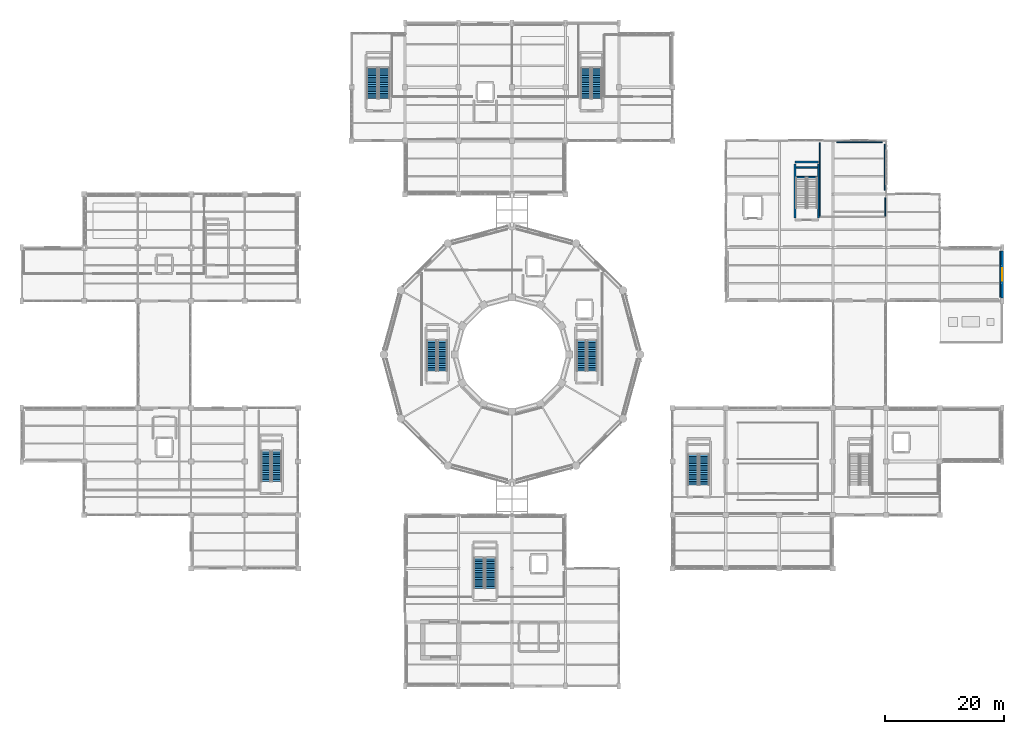
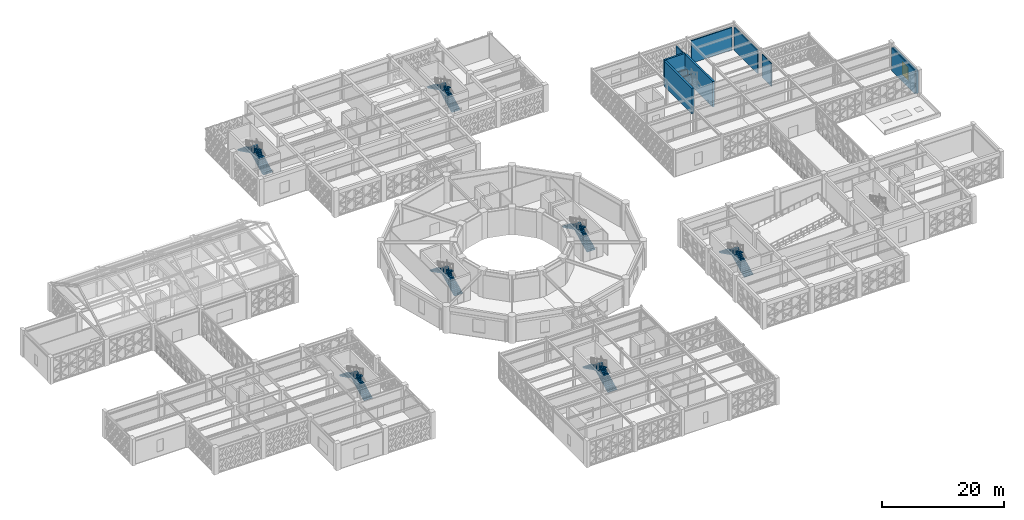
# One storey, part 147 of 166: 14 stair flights, 11 walls, 1 window, 1 opening, 7 elements without a shape of their own.
"""IFC4 building model written with IfcOpenShell, lengths in metres."""

from ifc_helpers import new_model, si_unit, direction, frame, frame_2d, origin, place, context, subcontext, project, spatial, polyline, rectangle, outline, extrude, material, layer, layer_set, type_object, element, fill, aggregate, save


model = new_model("IFC4")

# Units and contexts
model_context = context("Model", 3, precision=1e-05, world=origin(), true_north=direction((0.0, 1.0)))
body_context = subcontext(model_context, "Body", "Model", "MODEL_VIEW")
ifc_project = project(units=[si_unit("LENGTHUNIT", "METRE"), si_unit("AREAUNIT", "SQUARE_METRE"), si_unit("VOLUMEUNIT", "CUBIC_METRE"), si_unit("PLANEANGLEUNIT", "RADIAN"), si_unit("MASSUNIT", "GRAM", prefix="KILO")], contexts=[model_context])

# Site, building, storey
site_placement = place(None, origin())
site = spatial("IfcSite", under=ifc_project, at=site_placement, CompositionType="ELEMENT")
building_placement = place(site_placement, origin())
building = spatial("IfcBuilding", under=site, at=building_placement, Name="Haizhuo Lancet Aquarium", CompositionType="ELEMENT")
storey_placement = place(building_placement, frame((0.0, 0.0, 5.39990234375)))
storey = spatial("IfcBuildingStorey", under=building, at=storey_placement, Name="L01", CompositionType="ELEMENT", Elevation=5.39990234375)

# Wall, opening, window
ifc_material_1 = material(Name="Shandong Grey Limestone Ashlar", Category="masonry")
ifc_layer_1 = layer(ifc_material_1, 0.449951171875)
ifc_layer_set_1 = layer_set([ifc_layer_1], Name="Shandong Grey Limestone Ashlar")
wall_type_1 = type_object("IfcWallType", Name="EWL-ASH-450", PredefinedType="SOLIDWALL", material=ifc_layer_set_1)
wall_1_placement = place(storey_placement, frame((82.5, 17.455078125, 0.0), z_axis=(0.0, 0.0, 1.0), x_axis=(0.0, -1.0, 0.0)))
wall_1 = element("IfcWall", 1, at=wall_1_placement, inside=storey, type_object=wall_type_1, Name="L01 V7 limestone facade wall 111", PredefinedType="SOLIDWALL", context=body_context, shape_type="SweptSolid", body=[
    extrude(rectangle(XDim=7.91015625, YDim=0.449951171875, at=frame_2d((3.955078125, 0.0))), origin(), (0.0, 0.0, 1.0), 4.537109375),
])
opening_placement = place(wall_1_placement, frame((2.905029296875, 0.0, 0.89990234375)))
opening = element("IfcOpeningElement", 2, at=opening_placement, cuts=wall_1, Name="Opening WN-07", PredefinedType="OPENING", context=body_context, shape_type="SweptSolid", body=[
    extrude(rectangle(XDim=2.10009765625, YDim=2.60009765625, at=frame_2d((1.050048828125, 1.300048828125))), frame((0.0, 0.23486328125, 0.0), z_axis=(0.0, -1.0, 0.0), x_axis=(1.0, 0.0, 0.0)), (0.0, 0.0, 1.0), 0.469951),
])
ifc_material_2 = material(Name="Laminated Low-E Glass", Category="glass")
window_type = type_object("IfcWindowType", Name="WIN-LAN-2100x2600", PartitioningType="SINGLE_PANEL", PredefinedType="WINDOW", material=ifc_material_2)
window_placement = place(opening_placement, origin())
window = element("IfcWindow", 3, at=window_placement, inside=storey, type_object=window_type, Name="L01 V7 lancet window 84", OverallHeight=2.60009765625, OverallWidth=2.10009765625, PartitioningType="SINGLE_PANEL", PredefinedType="WINDOW", context=body_context, shape_type="SweptSolid", body=[
    extrude(rectangle(XDim=2.10009765625, YDim=2.60009765625, at=frame_2d((1.050048828125, 1.300048828125))), frame((0.0, 0.030029296875, 0.0), z_axis=(0.0, -1.0, 0.0), x_axis=(1.0, 0.0, 0.0)), (0.0, 0.0, 1.0), 0.06005859375),
])
fill(opening, window)

# Walls
ifc_material_3 = material(Name="Concrete C40/50", Category="concrete")
ifc_layer_2 = layer(ifc_material_3, 0.179931640625)
ifc_layer_set_2 = layer_set([ifc_layer_2], Name="Concrete C40/50")
wall_type_2 = type_object("IfcWallType", Name="IWL-LAB-180", PredefinedType="PARTITIONING", material=ifc_layer_set_2)
wall_2_placement = place(storey_placement, frame((82.199951171875, 9.64990234375, 0.0), z_axis=(0.0, 0.0, 1.0), x_axis=(-0.00025331686, 0.999999967915, 0.0)))
element("IfcWall", 4, at=wall_2_placement, inside=storey, type_object=wall_type_2, Name="L01 partition wall 329", PredefinedType="PARTITIONING", context=body_context, shape_type="SweptSolid", body=[
    extrude(rectangle(XDim=7.710205078125, YDim=0.179931640625, at=frame_2d((3.85498046875, 0.0))), origin(), (0.0, 0.0, 1.0), 4.63720703125),
])
wall_3_placement = place(storey_placement, frame((51.800048828125, 35.610107421875, 0.0), z_axis=(0.0, 0.0, 1.0), x_axis=(0.0, -1.0, 0.0)))
element("IfcWall", 5, at=wall_3_placement, inside=storey, type_object=wall_type_2, Name="L01 partition wall 336", PredefinedType="PARTITIONING", context=body_context, shape_type="SweptSolid", body=[
    extrude(rectangle(XDim=12.31005859375, YDim=0.179931640625, at=frame_2d((6.155029296875, 0.0))), origin(), (0.0, 0.0, 1.0), 4.537109375),
])
wall_4_placement = place(storey_placement, frame((62.800048828125, 23.300048828125, 0.0), z_axis=(0.0, 0.0, 1.0), x_axis=(0.0, 1.0, 0.0)))
element("IfcWall", 6, at=wall_4_placement, inside=storey, type_object=wall_type_2, Name="L01 partition wall 338", PredefinedType="PARTITIONING", context=body_context, shape_type="SweptSolid", body=[
    extrude(rectangle(XDim=3.06005859375, YDim=0.179931640625, at=frame_2d((1.530029296875, 0.0))), origin(), (0.0, 0.0, 1.0), 4.625),
])
wall_5_placement = place(storey_placement, frame((62.699951171875, 27.64990234375, 0.0), z_axis=(0.0, 0.0, 1.0), x_axis=(0.0, 1.0, 0.0)))
element("IfcWall", 7, at=wall_5_placement, inside=storey, type_object=wall_type_2, Name="L01 partition wall 339", PredefinedType="PARTITIONING", context=body_context, shape_type="SweptSolid", body=[
    extrude(rectangle(XDim=7.7001953125, YDim=0.179931640625, at=frame_2d((3.85009765625, 0.0))), origin(), (0.0, 0.0, 1.0), 4.625),
])
wall_6_placement = place(storey_placement, frame((62.35009765625, 35.699951171875, 0.0), z_axis=(0.0, 0.0, 1.0), x_axis=(-1.0, 0.0, 0.0)))
element("IfcWall", 8, at=wall_6_placement, inside=storey, type_object=wall_type_2, Name="L01 partition wall 340", PredefinedType="PARTITIONING", context=body_context, shape_type="SweptSolid", body=[
    extrude(rectangle(XDim=7.7001953125, YDim=0.179931640625, at=frame_2d((3.85009765625, 0.0))), origin(), (0.0, 0.0, 1.0), 4.537109375),
])
ifc_layer_3 = layer(ifc_material_3, 0.35009765625)
ifc_layer_set_3 = layer_set([ifc_layer_3], Name="Concrete C40/50")
wall_type_3 = type_object("IfcWallType", Name="WL-CORE-350", PredefinedType="SHEAR", material=ifc_layer_set_3)
for number, where, z_axis, x_axis, name in (
    (9, (47.800048828125, 29.875, 0.0), (0.0, 0.0, 1.0), (1.0, 0.0, 0.0), "L01 ST-10 landing support wall"),
    (10, (47.800048828125, 31.47509765625, 0.0), (0.0, 0.0, 1.0), (1.0, 0.0, 0.0), "L01 ST-10 far landing support wall"),
):
    element("IfcWall", number, at=place(storey_placement, frame(where, z_axis=z_axis, x_axis=x_axis)), inside=storey, type_object=wall_type_3, Name=name, PredefinedType="SHEAR", context=body_context, shape_type="SweptSolid", body=[
        extrude(rectangle(XDim=3.599853515625, YDim=0.25, at=frame_2d((1.7998046875, 0.0))), origin(), (0.0, 0.0, 1.0), 2.5),
    ])
wall_7_placement = place(storey_placement, frame((47.625, 32.425048828125, 0.0), z_axis=(0.0, 0.0, 1.0), x_axis=(1.0, 0.0, 0.0)))
element("IfcWall", 11, at=wall_7_placement, inside=storey, type_object=wall_type_3, Name="L01 ST-10 core shear wall N", PredefinedType="SHEAR", context=body_context, shape_type="SweptSolid", body=[
    extrude(rectangle(XDim=3.949951171875, YDim=0.35009765625, at=frame_2d((1.97509765625, 0.0))), origin(), (0.0, 0.0, 1.0), 5.150146484375),
])
for number, where, z_axis, x_axis, name in (
    (12, (47.625, 22.97509765625, 0.0), (0.0, 0.0, 1.0), (0.0, 1.0, 0.0), "L01 ST-10 core shear wall W"),
    (13, (51.574951171875, 22.97509765625, 0.0), (0.0, 0.0, 1.0), (0.0, 1.0, 0.0), "L01 ST-10 core shear wall E"),
):
    element("IfcWall", number, at=place(storey_placement, frame(where, z_axis=z_axis, x_axis=x_axis)), inside=storey, type_object=wall_type_3, Name=name, PredefinedType="SHEAR", context=body_context, shape_type="SweptSolid", body=[
        extrude(rectangle(XDim=9.099853515625, YDim=0.35009765625, at=frame_2d((4.5498046875, 0.0))), origin(), (0.0, 0.0, 1.0), 5.150146484375),
    ])

# Stair, stair flights
stair_type_1 = type_object("IfcStairType", Name="STR-HT-1600-54", PredefinedType="HALF_TURN_STAIR", material=ifc_material_3)
stair_1_placement = place(storey_placement, origin())
stair_1 = element("IfcStair", 14, at=stair_1_placement, inside=storey, type_object=stair_type_1, Name="L01 enclosed exit stair ST-01", PredefinedType="HALF_TURN_STAIR")
stair_flight_type_1 = type_object("IfcStairFlightType", Name="FLT-STR-1600-54", PredefinedType="STRAIGHT", material=ifc_material_3)
stair_flight_1_placement = place(storey_placement, frame((-11.699951171875, -2.75, 0.0), z_axis=(0.0, 0.0, 1.0), x_axis=(0.0, 1.0, 0.0)))
stair_flight_1 = element("IfcStairFlight", 15, at=stair_flight_1_placement, type_object=stair_flight_type_1, Name="ST-15 flight 1", NumberOfRisers=18, NumberOfTreads=17, PredefinedType="STRAIGHT", RiserHeight=0.15, TreadLength=0.3, context=body_context, shape_type="SweptSolid", body=[
    extrude(outline(polyline([(0.0, 0.0), (0.0, 0.14990234375), (0.300048828125, 0.14990234375), (0.300048828125, 0.300048828125), (0.60009765625, 0.300048828125), (0.60009765625, 0.449951171875), (0.89990234375, 0.449951171875), (0.89990234375, 0.60009765625), (1.199951171875, 0.60009765625), (1.199951171875, 0.75), (1.5, 0.75), (1.5, 0.89990234375), (1.800048828125, 0.89990234375), (1.800048828125, 1.050048828125), (2.10009765625, 1.050048828125), (2.10009765625, 1.199951171875), (2.39990234375, 1.199951171875), (2.39990234375, 1.35009765625), (2.699951171875, 1.35009765625), (2.699951171875, 1.5), (3.0, 1.5), (3.0, 1.64990234375), (3.300048828125, 1.64990234375), (3.300048828125, 1.800048828125), (3.60009765625, 1.800048828125), (3.60009765625, 1.949951171875), (3.89990234375, 1.949951171875), (3.89990234375, 2.10009765625), (4.199951171875, 2.10009765625), (4.199951171875, 2.25), (4.5, 2.25), (4.5, 2.39990234375), (4.800048828125, 2.39990234375), (4.800048828125, 2.550048828125), (5.10009765625, 2.550048828125), (5.10009765625, 2.699951171875), (5.10009765625, 2.37109375), (0.357666015625, 0.0), (0.0, 0.0)])), frame((0.0, 0.800048828125, 0.0), z_axis=(0.0, -1.0, 0.0), x_axis=(1.0, 0.0, 0.0)), (0.0, 0.0, 1.0), 1.60009765625),
])
stair_flight_2_placement = place(storey_placement, frame((-13.5, 2.35009765625, 2.7001953125), z_axis=(0.0, 0.0, 1.0), x_axis=(0.0, -1.0, 0.0)))
stair_flight_2 = element("IfcStairFlight", 16, at=stair_flight_2_placement, type_object=stair_flight_type_1, Name="ST-15 flight 2", NumberOfRisers=18, NumberOfTreads=17, PredefinedType="STRAIGHT", RiserHeight=0.15, TreadLength=0.3, context=body_context, shape_type="SweptSolid", body=[
    extrude(outline(polyline([(0.0, 0.0), (0.0, 0.14990234375), (0.300048828125, 0.14990234375), (0.300048828125, 0.300048828125), (0.60009765625, 0.300048828125), (0.60009765625, 0.449951171875), (0.89990234375, 0.449951171875), (0.89990234375, 0.60009765625), (1.199951171875, 0.60009765625), (1.199951171875, 0.75), (1.5, 0.75), (1.5, 0.89990234375), (1.800048828125, 0.89990234375), (1.800048828125, 1.050048828125), (2.10009765625, 1.050048828125), (2.10009765625, 1.199951171875), (2.39990234375, 1.199951171875), (2.39990234375, 1.35009765625), (2.699951171875, 1.35009765625), (2.699951171875, 1.5), (3.0, 1.5), (3.0, 1.64990234375), (3.300048828125, 1.64990234375), (3.300048828125, 1.800048828125), (3.60009765625, 1.800048828125), (3.60009765625, 1.949951171875), (3.89990234375, 1.949951171875), (3.89990234375, 2.10009765625), (4.199951171875, 2.10009765625), (4.199951171875, 2.25), (4.5, 2.25), (4.5, 2.39990234375), (4.800048828125, 2.39990234375), (4.800048828125, 2.550048828125), (5.10009765625, 2.550048828125), (5.10009765625, 2.699951171875), (5.10009765625, 2.37109375), (0.357666015625, 0.0), (0.0, 0.0)])), frame((0.0, 0.800048828125, 0.0), z_axis=(0.0, -1.0, 0.0), x_axis=(1.0, 0.0, 0.0)), (0.0, 0.0, 1.0), 1.60009765625),
])
aggregate(stair_1, [stair_flight_1, stair_flight_2])

stair_2_placement = place(storey_placement, origin())
stair_2 = element("IfcStair", 17, at=stair_2_placement, inside=storey, type_object=stair_type_1, Name="L01 enclosed exit stair ST-02", PredefinedType="HALF_TURN_STAIR")
stair_flight_3_placement = place(storey_placement, frame((13.5, -2.75, 0.0), z_axis=(0.0, 0.0, 1.0), x_axis=(0.0, 1.0, 0.0)))
stair_flight_3 = element("IfcStairFlight", 18, at=stair_flight_3_placement, type_object=stair_flight_type_1, Name="ST-15 flight 1", NumberOfRisers=18, NumberOfTreads=17, PredefinedType="STRAIGHT", RiserHeight=0.15, TreadLength=0.3, context=body_context, shape_type="SweptSolid", body=[
    extrude(outline(polyline([(0.0, 0.0), (0.0, 0.14990234375), (0.300048828125, 0.14990234375), (0.300048828125, 0.300048828125), (0.60009765625, 0.300048828125), (0.60009765625, 0.449951171875), (0.89990234375, 0.449951171875), (0.89990234375, 0.60009765625), (1.199951171875, 0.60009765625), (1.199951171875, 0.75), (1.5, 0.75), (1.5, 0.89990234375), (1.800048828125, 0.89990234375), (1.800048828125, 1.050048828125), (2.10009765625, 1.050048828125), (2.10009765625, 1.199951171875), (2.39990234375, 1.199951171875), (2.39990234375, 1.35009765625), (2.699951171875, 1.35009765625), (2.699951171875, 1.5), (3.0, 1.5), (3.0, 1.64990234375), (3.300048828125, 1.64990234375), (3.300048828125, 1.800048828125), (3.60009765625, 1.800048828125), (3.60009765625, 1.949951171875), (3.89990234375, 1.949951171875), (3.89990234375, 2.10009765625), (4.199951171875, 2.10009765625), (4.199951171875, 2.25), (4.5, 2.25), (4.5, 2.39990234375), (4.800048828125, 2.39990234375), (4.800048828125, 2.550048828125), (5.10009765625, 2.550048828125), (5.10009765625, 2.699951171875), (5.10009765625, 2.37109375), (0.357666015625, 0.0), (0.0, 0.0)])), frame((0.0, 0.800048828125, 0.0), z_axis=(0.0, -1.0, 0.0), x_axis=(1.0, 0.0, 0.0)), (0.0, 0.0, 1.0), 1.60009765625),
])
stair_flight_4_placement = place(storey_placement, frame((11.699951171875, 2.35009765625, 2.7001953125), z_axis=(0.0, 0.0, 1.0), x_axis=(0.0, -1.0, 0.0)))
stair_flight_4 = element("IfcStairFlight", 19, at=stair_flight_4_placement, type_object=stair_flight_type_1, Name="ST-15 flight 2", NumberOfRisers=18, NumberOfTreads=17, PredefinedType="STRAIGHT", RiserHeight=0.15, TreadLength=0.3, context=body_context, shape_type="SweptSolid", body=[
    extrude(outline(polyline([(0.0, 0.0), (0.0, 0.14990234375), (0.300048828125, 0.14990234375), (0.300048828125, 0.300048828125), (0.60009765625, 0.300048828125), (0.60009765625, 0.449951171875), (0.89990234375, 0.449951171875), (0.89990234375, 0.60009765625), (1.199951171875, 0.60009765625), (1.199951171875, 0.75), (1.5, 0.75), (1.5, 0.89990234375), (1.800048828125, 0.89990234375), (1.800048828125, 1.050048828125), (2.10009765625, 1.050048828125), (2.10009765625, 1.199951171875), (2.39990234375, 1.199951171875), (2.39990234375, 1.35009765625), (2.699951171875, 1.35009765625), (2.699951171875, 1.5), (3.0, 1.5), (3.0, 1.64990234375), (3.300048828125, 1.64990234375), (3.300048828125, 1.800048828125), (3.60009765625, 1.800048828125), (3.60009765625, 1.949951171875), (3.89990234375, 1.949951171875), (3.89990234375, 2.10009765625), (4.199951171875, 2.10009765625), (4.199951171875, 2.25), (4.5, 2.25), (4.5, 2.39990234375), (4.800048828125, 2.39990234375), (4.800048828125, 2.550048828125), (5.10009765625, 2.550048828125), (5.10009765625, 2.699951171875), (5.10009765625, 2.37109375), (0.357666015625, 0.0), (0.0, 0.0)])), frame((0.0, 0.800048828125, 0.0), z_axis=(0.0, -1.0, 0.0), x_axis=(1.0, 0.0, 0.0)), (0.0, 0.0, 1.0), 1.60009765625),
])
aggregate(stair_2, [stair_flight_3, stair_flight_4])

stair_3_placement = place(storey_placement, origin())
stair_3 = element("IfcStair", 20, at=stair_3_placement, inside=storey, type_object=stair_type_1, Name="L01 enclosed exit stair ST-09", PredefinedType="HALF_TURN_STAIR")
stair_flight_5_placement = place(storey_placement, frame((-39.60009765625, -21.35009765625, 0.0), z_axis=(0.0, 0.0, 1.0), x_axis=(0.0, 1.0, 0.0)))
stair_flight_5 = element("IfcStairFlight", 21, at=stair_flight_5_placement, type_object=stair_flight_type_1, Name="ST-15 flight 1", NumberOfRisers=18, NumberOfTreads=17, PredefinedType="STRAIGHT", RiserHeight=0.15, TreadLength=0.3, context=body_context, shape_type="SweptSolid", body=[
    extrude(outline(polyline([(0.0, 0.0), (0.0, 0.14990234375), (0.300048828125, 0.14990234375), (0.300048828125, 0.300048828125), (0.60009765625, 0.300048828125), (0.60009765625, 0.449951171875), (0.89990234375, 0.449951171875), (0.89990234375, 0.60009765625), (1.199951171875, 0.60009765625), (1.199951171875, 0.75), (1.5, 0.75), (1.5, 0.89990234375), (1.800048828125, 0.89990234375), (1.800048828125, 1.050048828125), (2.10009765625, 1.050048828125), (2.10009765625, 1.199951171875), (2.39990234375, 1.199951171875), (2.39990234375, 1.35009765625), (2.699951171875, 1.35009765625), (2.699951171875, 1.5), (3.0, 1.5), (3.0, 1.64990234375), (3.300048828125, 1.64990234375), (3.300048828125, 1.800048828125), (3.60009765625, 1.800048828125), (3.60009765625, 1.949951171875), (3.89990234375, 1.949951171875), (3.89990234375, 2.10009765625), (4.199951171875, 2.10009765625), (4.199951171875, 2.25), (4.5, 2.25), (4.5, 2.39990234375), (4.800048828125, 2.39990234375), (4.800048828125, 2.550048828125), (5.10009765625, 2.550048828125), (5.10009765625, 2.699951171875), (5.10009765625, 2.37109375), (0.357666015625, 0.0), (0.0, 0.0)])), frame((0.0, 0.800048828125, 0.0), z_axis=(0.0, -1.0, 0.0), x_axis=(1.0, 0.0, 0.0)), (0.0, 0.0, 1.0), 1.60009765625),
])
stair_flight_6_placement = place(storey_placement, frame((-41.39990234375, -16.25, 2.7001953125), z_axis=(0.0, 0.0, 1.0), x_axis=(0.0, -1.0, 0.0)))
stair_flight_6 = element("IfcStairFlight", 22, at=stair_flight_6_placement, type_object=stair_flight_type_1, Name="ST-15 flight 2", NumberOfRisers=18, NumberOfTreads=17, PredefinedType="STRAIGHT", RiserHeight=0.15, TreadLength=0.3, context=body_context, shape_type="SweptSolid", body=[
    extrude(outline(polyline([(0.0, 0.0), (0.0, 0.14990234375), (0.300048828125, 0.14990234375), (0.300048828125, 0.300048828125), (0.60009765625, 0.300048828125), (0.60009765625, 0.449951171875), (0.89990234375, 0.449951171875), (0.89990234375, 0.60009765625), (1.199951171875, 0.60009765625), (1.199951171875, 0.75), (1.5, 0.75), (1.5, 0.89990234375), (1.800048828125, 0.89990234375), (1.800048828125, 1.050048828125), (2.10009765625, 1.050048828125), (2.10009765625, 1.199951171875), (2.39990234375, 1.199951171875), (2.39990234375, 1.35009765625), (2.699951171875, 1.35009765625), (2.699951171875, 1.5), (3.0, 1.5), (3.0, 1.64990234375), (3.300048828125, 1.64990234375), (3.300048828125, 1.800048828125), (3.60009765625, 1.800048828125), (3.60009765625, 1.949951171875), (3.89990234375, 1.949951171875), (3.89990234375, 2.10009765625), (4.199951171875, 2.10009765625), (4.199951171875, 2.25), (4.5, 2.25), (4.5, 2.39990234375), (4.800048828125, 2.39990234375), (4.800048828125, 2.550048828125), (5.10009765625, 2.550048828125), (5.10009765625, 2.699951171875), (5.10009765625, 2.37109375), (0.357666015625, 0.0), (0.0, 0.0)])), frame((0.0, 0.800048828125, 0.0), z_axis=(0.0, -1.0, 0.0), x_axis=(1.0, 0.0, 0.0)), (0.0, 0.0, 1.0), 1.60009765625),
])
aggregate(stair_3, [stair_flight_5, stair_flight_6])

stair_type_2 = type_object("IfcStairType", Name="STR-HT-1650-54", PredefinedType="HALF_TURN_STAIR", material=ifc_material_3)
stair_4_placement = place(storey_placement, origin())
stair_4 = element("IfcStair", 23, at=stair_4_placement, inside=storey, type_object=stair_type_2, Name="L01 enclosed exit stair ST-08", PredefinedType="HALF_TURN_STAIR")
stair_flight_type_2 = type_object("IfcStairFlightType", Name="FLT-STR-1650-54", PredefinedType="STRAIGHT", material=ifc_material_3)
stair_flight_7_placement = place(storey_placement, frame((14.27490234375, 43.050048828125, 0.0), z_axis=(0.0, 0.0, 1.0), x_axis=(0.0, 1.0, 0.0)))
stair_flight_7 = element("IfcStairFlight", 24, at=stair_flight_7_placement, type_object=stair_flight_type_2, Name="ST-25 flight 1", NumberOfRisers=18, NumberOfTreads=17, PredefinedType="STRAIGHT", RiserHeight=0.15, TreadLength=0.3, context=body_context, shape_type="SweptSolid", body=[
    extrude(outline(polyline([(0.0, 0.0), (0.0, 0.14990234375), (0.300048828125, 0.14990234375), (0.300048828125, 0.300048828125), (0.60009765625, 0.300048828125), (0.60009765625, 0.449951171875), (0.89990234375, 0.449951171875), (0.89990234375, 0.60009765625), (1.199951171875, 0.60009765625), (1.199951171875, 0.75), (1.5, 0.75), (1.5, 0.89990234375), (1.800048828125, 0.89990234375), (1.800048828125, 1.050048828125), (2.10009765625, 1.050048828125), (2.10009765625, 1.199951171875), (2.39990234375, 1.199951171875), (2.39990234375, 1.35009765625), (2.699951171875, 1.35009765625), (2.699951171875, 1.5), (3.0, 1.5), (3.0, 1.64990234375), (3.300048828125, 1.64990234375), (3.300048828125, 1.800048828125), (3.60009765625, 1.800048828125), (3.60009765625, 1.949951171875), (3.89990234375, 1.949951171875), (3.89990234375, 2.10009765625), (4.199951171875, 2.10009765625), (4.199951171875, 2.25), (4.5, 2.25), (4.5, 2.39990234375), (4.800048828125, 2.39990234375), (4.800048828125, 2.550048828125), (5.10009765625, 2.550048828125), (5.10009765625, 2.699951171875), (5.10009765625, 2.37109375), (0.357666015625, 0.0), (0.0, 0.0)])), frame((0.0, 0.824951171875, 0.0), z_axis=(0.0, -1.0, 0.0), x_axis=(1.0, 0.0, 0.0)), (0.0, 0.0, 1.0), 1.64990234375),
])
stair_flight_8_placement = place(storey_placement, frame((12.425048828125, 48.14990234375, 2.7001953125), z_axis=(0.0, 0.0, 1.0), x_axis=(0.0, -1.0, 0.0)))
stair_flight_8 = element("IfcStairFlight", 25, at=stair_flight_8_placement, type_object=stair_flight_type_2, Name="ST-25 flight 2", NumberOfRisers=18, NumberOfTreads=17, PredefinedType="STRAIGHT", RiserHeight=0.15, TreadLength=0.3, context=body_context, shape_type="SweptSolid", body=[
    extrude(outline(polyline([(0.0, 0.0), (0.0, 0.14990234375), (0.300048828125, 0.14990234375), (0.300048828125, 0.300048828125), (0.60009765625, 0.300048828125), (0.60009765625, 0.449951171875), (0.89990234375, 0.449951171875), (0.89990234375, 0.60009765625), (1.199951171875, 0.60009765625), (1.199951171875, 0.75), (1.5, 0.75), (1.5, 0.89990234375), (1.800048828125, 0.89990234375), (1.800048828125, 1.050048828125), (2.10009765625, 1.050048828125), (2.10009765625, 1.199951171875), (2.39990234375, 1.199951171875), (2.39990234375, 1.35009765625), (2.699951171875, 1.35009765625), (2.699951171875, 1.5), (3.0, 1.5), (3.0, 1.64990234375), (3.300048828125, 1.64990234375), (3.300048828125, 1.800048828125), (3.60009765625, 1.800048828125), (3.60009765625, 1.949951171875), (3.89990234375, 1.949951171875), (3.89990234375, 2.10009765625), (4.199951171875, 2.10009765625), (4.199951171875, 2.25), (4.5, 2.25), (4.5, 2.39990234375), (4.800048828125, 2.39990234375), (4.800048828125, 2.550048828125), (5.10009765625, 2.550048828125), (5.10009765625, 2.699951171875), (5.10009765625, 2.37109375), (0.357666015625, 0.0), (0.0, 0.0)])), frame((0.0, 0.824951171875, 0.0), z_axis=(0.0, -1.0, 0.0), x_axis=(1.0, 0.0, 0.0)), (0.0, 0.0, 1.0), 1.64990234375),
])
aggregate(stair_4, [stair_flight_7, stair_flight_8])

stair_type_3 = type_object("IfcStairType", Name="STR-HT-1700-54", PredefinedType="HALF_TURN_STAIR", material=ifc_material_3)
stair_5_placement = place(storey_placement, origin())
stair_5 = element("IfcStair", 26, at=stair_5_placement, inside=storey, type_object=stair_type_3, Name="L01 enclosed exit stair ST-04", PredefinedType="HALF_TURN_STAIR")
stair_flight_type_3 = type_object("IfcStairFlightType", Name="FLT-STR-1700-54", PredefinedType="STRAIGHT", material=ifc_material_3)
stair_flight_9_placement = place(storey_placement, frame((32.35009765625, -21.949951171875, 0.0), z_axis=(0.0, 0.0, 1.0), x_axis=(0.0, 1.0, 0.0)))
stair_flight_9 = element("IfcStairFlight", 27, at=stair_flight_9_placement, type_object=stair_flight_type_3, Name="ST-35 flight 1", NumberOfRisers=18, NumberOfTreads=17, PredefinedType="STRAIGHT", RiserHeight=0.15, TreadLength=0.3, context=body_context, shape_type="SweptSolid", body=[
    extrude(outline(polyline([(0.0, 0.0), (0.0, 0.14990234375), (0.300048828125, 0.14990234375), (0.300048828125, 0.300048828125), (0.60009765625, 0.300048828125), (0.60009765625, 0.449951171875), (0.89990234375, 0.449951171875), (0.89990234375, 0.60009765625), (1.199951171875, 0.60009765625), (1.199951171875, 0.75), (1.5, 0.75), (1.5, 0.89990234375), (1.800048828125, 0.89990234375), (1.800048828125, 1.050048828125), (2.10009765625, 1.050048828125), (2.10009765625, 1.199951171875), (2.39990234375, 1.199951171875), (2.39990234375, 1.35009765625), (2.699951171875, 1.35009765625), (2.699951171875, 1.5), (3.0, 1.5), (3.0, 1.64990234375), (3.300048828125, 1.64990234375), (3.300048828125, 1.800048828125), (3.60009765625, 1.800048828125), (3.60009765625, 1.949951171875), (3.89990234375, 1.949951171875), (3.89990234375, 2.10009765625), (4.199951171875, 2.10009765625), (4.199951171875, 2.25), (4.5, 2.25), (4.5, 2.39990234375), (4.800048828125, 2.39990234375), (4.800048828125, 2.550048828125), (5.10009765625, 2.550048828125), (5.10009765625, 2.699951171875), (5.10009765625, 2.37109375), (0.357666015625, 0.0), (0.0, 0.0)])), frame((0.0, 0.85009765625, 0.0), z_axis=(0.0, -1.0, 0.0), x_axis=(1.0, 0.0, 0.0)), (0.0, 0.0, 1.0), 1.699951171875),
])
stair_flight_10_placement = place(storey_placement, frame((30.449951171875, -16.85009765625, 2.7001953125), z_axis=(0.0, 0.0, 1.0), x_axis=(0.0, -1.0, 0.0)))
stair_flight_10 = element("IfcStairFlight", 28, at=stair_flight_10_placement, type_object=stair_flight_type_3, Name="ST-35 flight 2", NumberOfRisers=18, NumberOfTreads=17, PredefinedType="STRAIGHT", RiserHeight=0.15, TreadLength=0.3, context=body_context, shape_type="SweptSolid", body=[
    extrude(outline(polyline([(0.0, 0.0), (0.0, 0.14990234375), (0.300048828125, 0.14990234375), (0.300048828125, 0.300048828125), (0.60009765625, 0.300048828125), (0.60009765625, 0.449951171875), (0.89990234375, 0.449951171875), (0.89990234375, 0.60009765625), (1.199951171875, 0.60009765625), (1.199951171875, 0.75), (1.5, 0.75), (1.5, 0.89990234375), (1.800048828125, 0.89990234375), (1.800048828125, 1.050048828125), (2.10009765625, 1.050048828125), (2.10009765625, 1.199951171875), (2.39990234375, 1.199951171875), (2.39990234375, 1.35009765625), (2.699951171875, 1.35009765625), (2.699951171875, 1.5), (3.0, 1.5), (3.0, 1.64990234375), (3.300048828125, 1.64990234375), (3.300048828125, 1.800048828125), (3.60009765625, 1.800048828125), (3.60009765625, 1.949951171875), (3.89990234375, 1.949951171875), (3.89990234375, 2.10009765625), (4.199951171875, 2.10009765625), (4.199951171875, 2.25), (4.5, 2.25), (4.5, 2.39990234375), (4.800048828125, 2.39990234375), (4.800048828125, 2.550048828125), (5.10009765625, 2.550048828125), (5.10009765625, 2.699951171875), (5.10009765625, 2.37109375), (0.357666015625, 0.0), (0.0, 0.0)])), frame((0.0, 0.85009765625, 0.0), z_axis=(0.0, -1.0, 0.0), x_axis=(1.0, 0.0, 0.0)), (0.0, 0.0, 1.0), 1.699951171875),
])
aggregate(stair_5, [stair_flight_9, stair_flight_10])

stair_type_4 = type_object("IfcStairType", Name="STR-HT-1750-54", PredefinedType="HALF_TURN_STAIR", material=ifc_material_3)
stair_6_placement = place(storey_placement, origin())
stair_6 = element("IfcStair", 29, at=stair_6_placement, inside=storey, type_object=stair_type_4, Name="L01 enclosed exit stair ST-06", PredefinedType="HALF_TURN_STAIR")
stair_flight_type_4 = type_object("IfcStairFlightType", Name="FLT-STR-1750-54", PredefinedType="STRAIGHT", material=ifc_material_3)
stair_flight_11_placement = place(storey_placement, frame((-3.574951171875, -39.35009765625, 0.0), z_axis=(0.0, 0.0, 1.0), x_axis=(0.0, 1.0, 0.0)))
stair_flight_11 = element("IfcStairFlight", 30, at=stair_flight_11_placement, type_object=stair_flight_type_4, Name="ST-45 flight 1", NumberOfRisers=18, NumberOfTreads=17, PredefinedType="STRAIGHT", RiserHeight=0.15, TreadLength=0.3, context=body_context, shape_type="SweptSolid", body=[
    extrude(outline(polyline([(0.0, 0.0), (0.0, 0.14990234375), (0.300048828125, 0.14990234375), (0.300048828125, 0.300048828125), (0.60009765625, 0.300048828125), (0.60009765625, 0.449951171875), (0.89990234375, 0.449951171875), (0.89990234375, 0.60009765625), (1.199951171875, 0.60009765625), (1.199951171875, 0.75), (1.5, 0.75), (1.5, 0.89990234375), (1.800048828125, 0.89990234375), (1.800048828125, 1.050048828125), (2.10009765625, 1.050048828125), (2.10009765625, 1.199951171875), (2.39990234375, 1.199951171875), (2.39990234375, 1.35009765625), (2.699951171875, 1.35009765625), (2.699951171875, 1.5), (3.0, 1.5), (3.0, 1.64990234375), (3.300048828125, 1.64990234375), (3.300048828125, 1.800048828125), (3.60009765625, 1.800048828125), (3.60009765625, 1.949951171875), (3.89990234375, 1.949951171875), (3.89990234375, 2.10009765625), (4.199951171875, 2.10009765625), (4.199951171875, 2.25), (4.5, 2.25), (4.5, 2.39990234375), (4.800048828125, 2.39990234375), (4.800048828125, 2.550048828125), (5.10009765625, 2.550048828125), (5.10009765625, 2.699951171875), (5.10009765625, 2.37109375), (0.357666015625, 0.0), (0.0, 0.0)])), frame((0.0, 0.875, 0.0), z_axis=(0.0, -1.0, 0.0), x_axis=(1.0, 0.0, 0.0)), (0.0, 0.0, 1.0), 1.75),
])
stair_flight_12_placement = place(storey_placement, frame((-5.52490234375, -34.25, 2.7001953125), z_axis=(0.0, 0.0, 1.0), x_axis=(0.0, -1.0, 0.0)))
stair_flight_12 = element("IfcStairFlight", 31, at=stair_flight_12_placement, type_object=stair_flight_type_4, Name="ST-45 flight 2", NumberOfRisers=18, NumberOfTreads=17, PredefinedType="STRAIGHT", RiserHeight=0.15, TreadLength=0.3, context=body_context, shape_type="SweptSolid", body=[
    extrude(outline(polyline([(0.0, 0.0), (0.0, 0.14990234375), (0.300048828125, 0.14990234375), (0.300048828125, 0.300048828125), (0.60009765625, 0.300048828125), (0.60009765625, 0.449951171875), (0.89990234375, 0.449951171875), (0.89990234375, 0.60009765625), (1.199951171875, 0.60009765625), (1.199951171875, 0.75), (1.5, 0.75), (1.5, 0.89990234375), (1.800048828125, 0.89990234375), (1.800048828125, 1.050048828125), (2.10009765625, 1.050048828125), (2.10009765625, 1.199951171875), (2.39990234375, 1.199951171875), (2.39990234375, 1.35009765625), (2.699951171875, 1.35009765625), (2.699951171875, 1.5), (3.0, 1.5), (3.0, 1.64990234375), (3.300048828125, 1.64990234375), (3.300048828125, 1.800048828125), (3.60009765625, 1.800048828125), (3.60009765625, 1.949951171875), (3.89990234375, 1.949951171875), (3.89990234375, 2.10009765625), (4.199951171875, 2.10009765625), (4.199951171875, 2.25), (4.5, 2.25), (4.5, 2.39990234375), (4.800048828125, 2.39990234375), (4.800048828125, 2.550048828125), (5.10009765625, 2.550048828125), (5.10009765625, 2.699951171875), (5.10009765625, 2.37109375), (0.357666015625, 0.0), (0.0, 0.0)])), frame((0.0, 0.875, 0.0), z_axis=(0.0, -1.0, 0.0), x_axis=(1.0, 0.0, 0.0)), (0.0, 0.0, 1.0), 1.75),
])
aggregate(stair_6, [stair_flight_11, stair_flight_12])

stair_type_5 = type_object("IfcStairType", Name="STR-HT-1800-54", PredefinedType="HALF_TURN_STAIR", material=ifc_material_3)
stair_7_placement = place(storey_placement, origin())
stair_7 = element("IfcStair", 32, at=stair_7_placement, inside=storey, type_object=stair_type_5, Name="L01 enclosed exit stair ST-07", PredefinedType="HALF_TURN_STAIR")
stair_flight_type_5 = type_object("IfcStairFlightType", Name="FLT-STR-1800-54", PredefinedType="STRAIGHT", material=ifc_material_3)
stair_flight_13_placement = place(storey_placement, frame((-21.5, 43.050048828125, 0.0), z_axis=(0.0, 0.0, 1.0), x_axis=(0.0, 1.0, 0.0)))
stair_flight_13 = element("IfcStairFlight", 33, at=stair_flight_13_placement, type_object=stair_flight_type_5, Name="ST-55 flight 1", NumberOfRisers=18, NumberOfTreads=17, PredefinedType="STRAIGHT", RiserHeight=0.15, TreadLength=0.3, context=body_context, shape_type="SweptSolid", body=[
    extrude(outline(polyline([(0.0, 0.0), (0.0, 0.14990234375), (0.300048828125, 0.14990234375), (0.300048828125, 0.300048828125), (0.60009765625, 0.300048828125), (0.60009765625, 0.449951171875), (0.89990234375, 0.449951171875), (0.89990234375, 0.60009765625), (1.199951171875, 0.60009765625), (1.199951171875, 0.75), (1.5, 0.75), (1.5, 0.89990234375), (1.800048828125, 0.89990234375), (1.800048828125, 1.050048828125), (2.10009765625, 1.050048828125), (2.10009765625, 1.199951171875), (2.39990234375, 1.199951171875), (2.39990234375, 1.35009765625), (2.699951171875, 1.35009765625), (2.699951171875, 1.5), (3.0, 1.5), (3.0, 1.64990234375), (3.300048828125, 1.64990234375), (3.300048828125, 1.800048828125), (3.60009765625, 1.800048828125), (3.60009765625, 1.949951171875), (3.89990234375, 1.949951171875), (3.89990234375, 2.10009765625), (4.199951171875, 2.10009765625), (4.199951171875, 2.25), (4.5, 2.25), (4.5, 2.39990234375), (4.800048828125, 2.39990234375), (4.800048828125, 2.550048828125), (5.10009765625, 2.550048828125), (5.10009765625, 2.699951171875), (5.10009765625, 2.37109375), (0.357666015625, 0.0), (0.0, 0.0)])), frame((0.0, 0.89990234375, 0.0), z_axis=(0.0, -1.0, 0.0), x_axis=(1.0, 0.0, 0.0)), (0.0, 0.0, 1.0), 1.800048828125),
])
stair_flight_14_placement = place(storey_placement, frame((-23.5, 48.14990234375, 2.7001953125), z_axis=(0.0, 0.0, 1.0), x_axis=(0.0, -1.0, 0.0)))
stair_flight_14 = element("IfcStairFlight", 34, at=stair_flight_14_placement, type_object=stair_flight_type_5, Name="ST-55 flight 2", NumberOfRisers=18, NumberOfTreads=17, PredefinedType="STRAIGHT", RiserHeight=0.15, TreadLength=0.3, context=body_context, shape_type="SweptSolid", body=[
    extrude(outline(polyline([(0.0, 0.0), (0.0, 0.14990234375), (0.300048828125, 0.14990234375), (0.300048828125, 0.300048828125), (0.60009765625, 0.300048828125), (0.60009765625, 0.449951171875), (0.89990234375, 0.449951171875), (0.89990234375, 0.60009765625), (1.199951171875, 0.60009765625), (1.199951171875, 0.75), (1.5, 0.75), (1.5, 0.89990234375), (1.800048828125, 0.89990234375), (1.800048828125, 1.050048828125), (2.10009765625, 1.050048828125), (2.10009765625, 1.199951171875), (2.39990234375, 1.199951171875), (2.39990234375, 1.35009765625), (2.699951171875, 1.35009765625), (2.699951171875, 1.5), (3.0, 1.5), (3.0, 1.64990234375), (3.300048828125, 1.64990234375), (3.300048828125, 1.800048828125), (3.60009765625, 1.800048828125), (3.60009765625, 1.949951171875), (3.89990234375, 1.949951171875), (3.89990234375, 2.10009765625), (4.199951171875, 2.10009765625), (4.199951171875, 2.25), (4.5, 2.25), (4.5, 2.39990234375), (4.800048828125, 2.39990234375), (4.800048828125, 2.550048828125), (5.10009765625, 2.550048828125), (5.10009765625, 2.699951171875), (5.10009765625, 2.37109375), (0.357666015625, 0.0), (0.0, 0.0)])), frame((0.0, 0.89990234375, 0.0), z_axis=(0.0, -1.0, 0.0), x_axis=(1.0, 0.0, 0.0)), (0.0, 0.0, 1.0), 1.800048828125),
])
aggregate(stair_7, [stair_flight_13, stair_flight_14])

save(model, "model.ifc")
